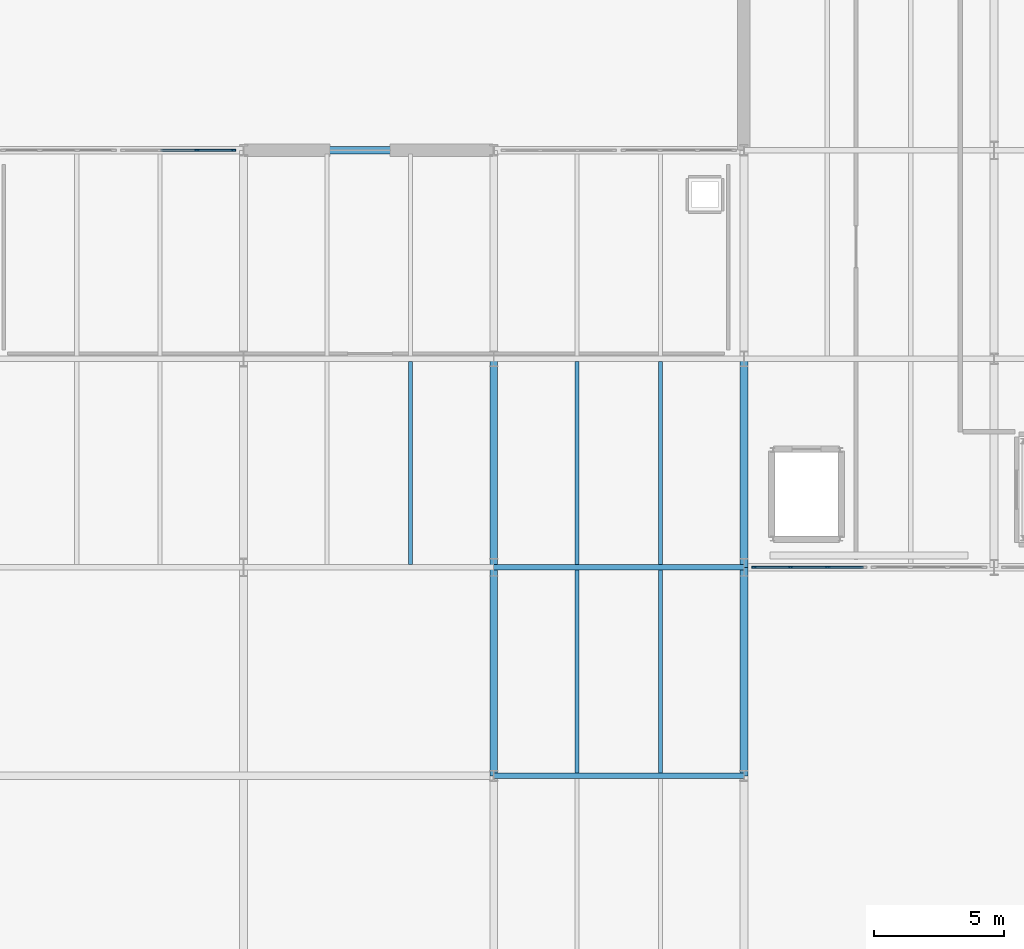
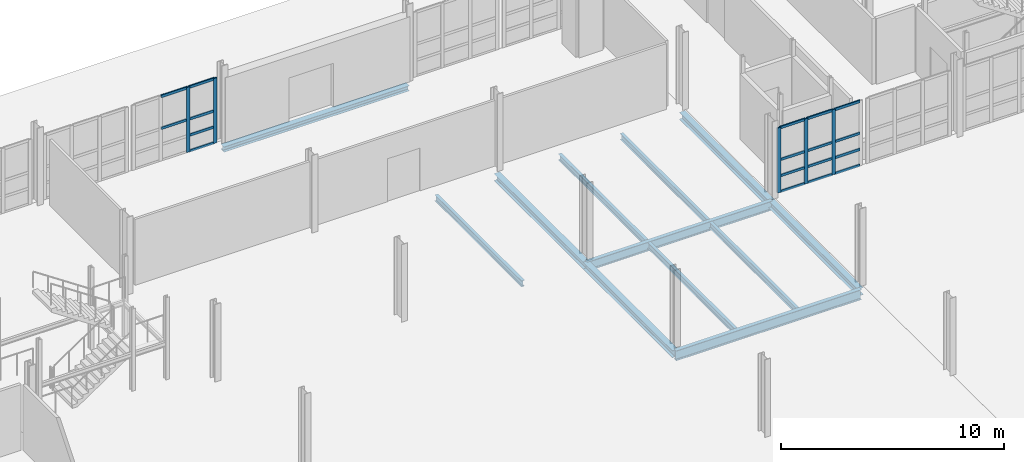
# One storey, part 39 of 78: 23 members, 12 beams, 2 elements without a shape of their own.
"""IFC4 building model written with IfcOpenShell, lengths in metres."""

from ifc_helpers import new_model, si_unit, direction, frame, origin, origin_2d, place, context, subcontext, project, spatial, rectangle, i_section, extrude, material, layer, layer_set, material_profile, profile_set, type_object, element, aggregate, save


model = new_model("IFC4")

# Units and contexts
model_context = context("Model", 3, precision=1e-05, world=origin(), true_north=direction((0.0, 1.0)))
body_context = subcontext(model_context, "Body", "Model", "MODEL_VIEW")
ifc_project = project(units=[si_unit("LENGTHUNIT", "METRE"), si_unit("AREAUNIT", "SQUARE_METRE"), si_unit("VOLUMEUNIT", "CUBIC_METRE"), si_unit("PLANEANGLEUNIT", "RADIAN"), si_unit("MASSUNIT", "GRAM", prefix="KILO")], contexts=[model_context])

# Site, building, storey
site_placement = place(None, origin())
site = spatial("IfcSite", under=ifc_project, at=site_placement, CompositionType="ELEMENT")
building_placement = place(site_placement, origin())
building = spatial("IfcBuilding", under=site, at=building_placement, Name="Alderhovde Museum", CompositionType="ELEMENT")
storey_placement = place(building_placement, origin())
storey = spatial("IfcBuildingStorey", under=building, at=storey_placement, Name="L00", CompositionType="ELEMENT", Elevation=0.0)

# Beams
ifc_material_1 = material(Name="Steel S355J2", Category="steel")
ifc_material_profile_1 = material_profile(ifc_material_1, i_section(OverallWidth=0.300048828125, OverallDepth=0.389892578125, WebThickness=0.010986328125, FlangeThickness=0.01904296875, FilletRadius=0.027099609375, at=origin_2d()), Name="HEA 400")
ifc_profile_set_1 = profile_set([ifc_material_profile_1], Name="Steel S355J2")
beam_type_1 = type_object("IfcBeamType", Name="BM-HEA400", PredefinedType="BEAM", material=ifc_profile_set_1)
for number, where, z_axis, x_axis, name in (
    (1, (105.60009765625, 64.0, -0.47509765625), (0.0, 1.0, 0.0), (-1.0, 0.0, 0.0), "L00 Grid Beam X=105.6 (64.0 TO 72.0)"),
    (2, (105.60009765625, 72.0, -0.47509765625), (0.0, 1.0, 0.0), (-1.0, 0.0, 0.0), "L00 Grid Beam X=105.6 (72.0 TO 80.0)"),
    (3, (115.199951171875, 64.0, -0.47509765625), (0.0, 1.0, 0.0), (-1.0, 0.0, 0.0), "L00 Grid Beam X=115.2 (64.0 TO 72.0)"),
    (4, (115.199951171875, 72.0, -0.47509765625), (0.0, 1.0, 0.0), (-1.0, 0.0, 0.0), "L00 Grid Beam X=115.2 (72.0 TO 80.0)"),
):
    element("IfcBeam", number, at=place(storey_placement, frame(where, z_axis=z_axis, x_axis=x_axis)), inside=storey, type_object=beam_type_1, Name=name, PredefinedType="BEAM", context=body_context, shape_type="SweptSolid", body=[
        extrude(i_section(OverallWidth=0.300048828125, OverallDepth=0.389892578125, WebThickness=0.010986328125, FlangeThickness=0.01904296875, FilletRadius=0.027099609375, at=origin_2d()), origin(), (0.0, 0.0, 1.0), 8.0),
    ])
ifc_material_2 = material(Name="Steel S355J2", Category="steel")
ifc_material_profile_2 = material_profile(ifc_material_2, i_section(OverallWidth=0.199951171875, OverallDepth=0.5, WebThickness=0.01025390625, FlangeThickness=0.01611328125, FilletRadius=0.02099609375, at=origin_2d()), Name="IPE 500")
ifc_profile_set_2 = profile_set([ifc_material_profile_2], Name="Steel S355J2")
beam_type_2 = type_object("IfcBeamType", Name="BM-IPE500", PredefinedType="BEAM", material=ifc_profile_set_2)
beam_1_placement = place(storey_placement, frame((105.60009765625, 72.0, -0.530029296875), z_axis=(1.0, 0.0, 0.0), x_axis=(0.0, 1.0, 0.0)))
element("IfcBeam", 5, at=beam_1_placement, inside=storey, type_object=beam_type_2, Name="L00 Grid Beam Y=72.0 (105.6 TO 115.2)", PredefinedType="BEAM", context=body_context, shape_type="SweptSolid", body=[
    extrude(i_section(OverallWidth=0.199951171875, OverallDepth=0.5, WebThickness=0.01025390625, FlangeThickness=0.01611328125, FilletRadius=0.02099609375, at=origin_2d()), origin(), (0.0, 0.0, 1.0), 9.599853515625),
])
ifc_material_3 = material(Name="Steel S355J2", Category="steel")
ifc_material_profile_3 = material_profile(ifc_material_3, i_section(OverallWidth=0.2099609375, OverallDepth=0.550048828125, WebThickness=0.010986328125, FlangeThickness=0.01708984375, FilletRadius=0.02392578125, at=origin_2d()), Name="IPE 550")
ifc_profile_set_3 = profile_set([ifc_material_profile_3], Name="Steel S355J2")
beam_type_3 = type_object("IfcBeamType", Name="BM-IPE550", PredefinedType="BEAM", material=ifc_profile_set_3)
beam_2_placement = place(storey_placement, frame((105.60009765625, 64.0, -0.554931640625), z_axis=(1.0, 0.0, 0.0), x_axis=(0.0, 1.0, 0.0)))
element("IfcBeam", 6, at=beam_2_placement, inside=storey, type_object=beam_type_3, Name="L00 Grid Beam Y=64.0 (105.6 TO 115.2)", PredefinedType="BEAM", context=body_context, shape_type="SweptSolid", body=[
    extrude(i_section(OverallWidth=0.2099609375, OverallDepth=0.550048828125, WebThickness=0.010986328125, FlangeThickness=0.01708984375, FilletRadius=0.02392578125, at=origin_2d()), origin(), (0.0, 0.0, 1.0), 9.599853515625),
])

# Curtain wall, members
ifc_material_4 = material(Name="Triple-Glazed Bronze-Anodised Curtain Wall", Category="glass")
ifc_layer_1 = layer(ifc_material_4, 0.179931640625)
ifc_layer_set_1 = layer_set([ifc_layer_1], Name="Triple-Glazed Bronze-Anodised Curtain Wall")
curtain_wall_type_1 = type_object("IfcCurtainWallType", Name="CW-UNIT-430x356", PredefinedType="USERDEFINED", material=ifc_layer_set_1)
curtain_wall_1_placement = place(storey_placement, origin())
curtain_wall_1 = element("IfcCurtainWall", 7, at=curtain_wall_1_placement, inside=storey, type_object=curtain_wall_type_1, Name="L00 Unitised Curtain Wall 14", ObjectType="UNITISED CURTAIN WALL", PredefinedType="USERDEFINED")
ifc_material_5 = material(Name="Bronze-Anodised Aluminium EN AW-6063-T6", Category="aluminium")
ifc_material_profile_4 = material_profile(ifc_material_5, rectangle(XDim=0.06494140625, YDim=0.179931640625, at=origin_2d()), Name="MULLION 65x180")
ifc_profile_set_4 = profile_set([ifc_material_profile_4], Name="Bronze-Anodised Aluminium EN AW-6063-T6")
member_type_1 = type_object("IfcMemberType", Name="CWM-65x180", PredefinedType="MULLION", material=ifc_profile_set_4)
member_1_placement = place(storey_placement, frame((94.216552734375, 88.0, 0.0), z_axis=(0.0, 0.0, 1.0), x_axis=(0.0, 1.0, 0.0)))
member_1 = element("IfcMember", 8, at=member_1_placement, type_object=member_type_1, Name="CW07 mullion 3", PredefinedType="MULLION", context=body_context, shape_type="SweptSolid", body=[
    extrude(rectangle(XDim=0.06494140625, YDim=0.179931640625, at=origin_2d()), origin(), (0.0, 0.0, 1.0), 3.56005859375),
])
member_2_placement = place(storey_placement, frame((95.617431640625, 88.0, 0.0), z_axis=(0.0, 0.0, 1.0), x_axis=(0.0, 1.0, 0.0)))
member_2 = element("IfcMember", 9, at=member_2_placement, type_object=member_type_1, Name="CW07 mullion 4", PredefinedType="MULLION", context=body_context, shape_type="SweptSolid", body=[
    extrude(rectangle(XDim=0.06494140625, YDim=0.179931640625, at=origin_2d()), origin(), (0.0, 0.0, 1.0), 3.56005859375),
])

ifc_material_6 = material(Name="Triple-Glazed Bronze-Anodised Curtain Wall", Category="glass")
ifc_layer_2 = layer(ifc_material_6, 0.179931640625)
ifc_layer_set_2 = layer_set([ifc_layer_2], Name="Triple-Glazed Bronze-Anodised Curtain Wall")
curtain_wall_type_2 = type_object("IfcCurtainWallType", Name="CW-STIC-430x356", PredefinedType="USERDEFINED", material=ifc_layer_set_2)
curtain_wall_2_placement = place(storey_placement, origin())
curtain_wall_2 = element("IfcCurtainWall", 10, at=curtain_wall_2_placement, inside=storey, type_object=curtain_wall_type_2, Name="L00 Stick Curtain Wall 131", ObjectType="STICK CURTAIN WALL", PredefinedType="USERDEFINED")
member_3_placement = place(storey_placement, frame((115.58251953125, 72.0, 0.0), z_axis=(0.0, 0.0, 1.0), x_axis=(0.0, 1.0, 0.0)))
member_3 = element("IfcMember", 11, at=member_3_placement, type_object=member_type_1, Name="CW31 mullion 1", PredefinedType="MULLION", context=body_context, shape_type="SweptSolid", body=[
    extrude(rectangle(XDim=0.06494140625, YDim=0.179931640625, at=origin_2d()), origin(), (0.0, 0.0, 1.0), 3.56005859375),
])
member_4_placement = place(storey_placement, frame((116.9833984375, 72.0, 0.0), z_axis=(0.0, 0.0, 1.0), x_axis=(0.0, 1.0, 0.0)))
member_4 = element("IfcMember", 12, at=member_4_placement, type_object=member_type_1, Name="CW31 mullion 2", PredefinedType="MULLION", context=body_context, shape_type="SweptSolid", body=[
    extrude(rectangle(XDim=0.06494140625, YDim=0.179931640625, at=origin_2d()), origin(), (0.0, 0.0, 1.0), 3.56005859375),
])
member_5_placement = place(storey_placement, frame((118.416748046875, 72.0, 0.0), z_axis=(0.0, 0.0, 1.0), x_axis=(0.0, 1.0, 0.0)))
member_5 = element("IfcMember", 13, at=member_5_placement, type_object=member_type_1, Name="CW31 mullion 3", PredefinedType="MULLION", context=body_context, shape_type="SweptSolid", body=[
    extrude(rectangle(XDim=0.06494140625, YDim=0.179931640625, at=origin_2d()), origin(), (0.0, 0.0, 1.0), 3.56005859375),
])

# Member
ifc_material_7 = material(Name="Bronze-Anodised Aluminium EN AW-6063-T6", Category="aluminium")
ifc_material_profile_5 = material_profile(ifc_material_7, rectangle(XDim=0.06494140625, YDim=0.139892578125, at=origin_2d()), Name="TRANSOM 65x140")
ifc_profile_set_5 = profile_set([ifc_material_profile_5], Name="Bronze-Anodised Aluminium EN AW-6063-T6")
member_type_2 = type_object("IfcMemberType", Name="CWT-65x140", PredefinedType="USERDEFINED", material=ifc_profile_set_5)
member_6_placement = place(storey_placement, frame((92.81591796875, 88.0, 1.780029296875), z_axis=(1.0, 0.0, 0.0), x_axis=(0.0, 1.0, 0.0)))
member_6 = element("IfcMember", 14, at=member_6_placement, type_object=member_type_2, Name="CW07 transom 2.3", ObjectType="TRANSOM", PredefinedType="USERDEFINED", context=body_context, shape_type="SweptSolid", body=[
    extrude(rectangle(XDim=0.06494140625, YDim=0.139892578125, at=origin_2d()), origin(), (0.0, 0.0, 1.0), 1.3681640625),
])

member_7_placement = place(storey_placement, frame((92.81591796875, 88.0, 3.527587890625), z_axis=(1.0, 0.0, 0.0), x_axis=(0.0, 1.0, 0.0)))
member_7 = element("IfcMember", 15, at=member_7_placement, type_object=member_type_2, Name="CW07 transom 2.4", ObjectType="TRANSOM", PredefinedType="USERDEFINED", context=body_context, shape_type="SweptSolid", body=[
    extrude(rectangle(XDim=0.06494140625, YDim=0.139892578125, at=origin_2d()), origin(), (0.0, 0.0, 1.0), 1.3681640625),
])

member_8_placement = place(storey_placement, frame((94.249267578125, 88.0, 0.032470703125), z_axis=(1.0, 0.0, 0.0), x_axis=(0.0, 1.0, 0.0)))
member_8 = element("IfcMember", 16, at=member_8_placement, type_object=member_type_2, Name="CW07 transom 3.1", ObjectType="TRANSOM", PredefinedType="USERDEFINED", context=body_context, shape_type="SweptSolid", body=[
    extrude(rectangle(XDim=0.06494140625, YDim=0.139892578125, at=origin_2d()), origin(), (0.0, 0.0, 1.0), 1.335693359375),
])

member_9_placement = place(storey_placement, frame((94.249267578125, 88.0, 0.89990234375), z_axis=(1.0, 0.0, 0.0), x_axis=(0.0, 1.0, 0.0)))
member_9 = element("IfcMember", 17, at=member_9_placement, type_object=member_type_2, Name="CW07 transom 3.2", ObjectType="TRANSOM", PredefinedType="USERDEFINED", context=body_context, shape_type="SweptSolid", body=[
    extrude(rectangle(XDim=0.06494140625, YDim=0.139892578125, at=origin_2d()), origin(), (0.0, 0.0, 1.0), 1.335693359375),
])

member_10_placement = place(storey_placement, frame((94.249267578125, 88.0, 1.780029296875), z_axis=(1.0, 0.0, 0.0), x_axis=(0.0, 1.0, 0.0)))
member_10 = element("IfcMember", 18, at=member_10_placement, type_object=member_type_2, Name="CW07 transom 3.3", ObjectType="TRANSOM", PredefinedType="USERDEFINED", context=body_context, shape_type="SweptSolid", body=[
    extrude(rectangle(XDim=0.06494140625, YDim=0.139892578125, at=origin_2d()), origin(), (0.0, 0.0, 1.0), 1.335693359375),
])

member_11_placement = place(storey_placement, frame((94.249267578125, 88.0, 3.527587890625), z_axis=(1.0, 0.0, 0.0), x_axis=(0.0, 1.0, 0.0)))
member_11 = element("IfcMember", 19, at=member_11_placement, type_object=member_type_2, Name="CW07 transom 3.4", ObjectType="TRANSOM", PredefinedType="USERDEFINED", context=body_context, shape_type="SweptSolid", body=[
    extrude(rectangle(XDim=0.06494140625, YDim=0.139892578125, at=origin_2d()), origin(), (0.0, 0.0, 1.0), 1.335693359375),
])

aggregate(curtain_wall_1, [member_1, member_2, member_6, member_7, member_8, member_9, member_10, member_11])

member_12_placement = place(storey_placement, frame((115.614990234375, 72.0, 0.032470703125), z_axis=(1.0, 0.0, 0.0), x_axis=(0.0, 1.0, 0.0)))
member_12 = element("IfcMember", 20, at=member_12_placement, type_object=member_type_2, Name="CW31 transom 1.1", ObjectType="TRANSOM", PredefinedType="USERDEFINED", context=body_context, shape_type="SweptSolid", body=[
    extrude(rectangle(XDim=0.06494140625, YDim=0.139892578125, at=origin_2d()), origin(), (0.0, 0.0, 1.0), 1.3359375),
])

member_13_placement = place(storey_placement, frame((115.614990234375, 72.0, 0.89990234375), z_axis=(1.0, 0.0, 0.0), x_axis=(0.0, 1.0, 0.0)))
member_13 = element("IfcMember", 21, at=member_13_placement, type_object=member_type_2, Name="CW31 transom 1.2", ObjectType="TRANSOM", PredefinedType="USERDEFINED", context=body_context, shape_type="SweptSolid", body=[
    extrude(rectangle(XDim=0.06494140625, YDim=0.139892578125, at=origin_2d()), origin(), (0.0, 0.0, 1.0), 1.3359375),
])

member_14_placement = place(storey_placement, frame((115.614990234375, 72.0, 1.780029296875), z_axis=(1.0, 0.0, 0.0), x_axis=(0.0, 1.0, 0.0)))
member_14 = element("IfcMember", 22, at=member_14_placement, type_object=member_type_2, Name="CW31 transom 1.3", ObjectType="TRANSOM", PredefinedType="USERDEFINED", context=body_context, shape_type="SweptSolid", body=[
    extrude(rectangle(XDim=0.06494140625, YDim=0.139892578125, at=origin_2d()), origin(), (0.0, 0.0, 1.0), 1.3359375),
])

member_15_placement = place(storey_placement, frame((115.614990234375, 72.0, 3.527587890625), z_axis=(1.0, 0.0, 0.0), x_axis=(0.0, 1.0, 0.0)))
member_15 = element("IfcMember", 23, at=member_15_placement, type_object=member_type_2, Name="CW31 transom 1.4", ObjectType="TRANSOM", PredefinedType="USERDEFINED", context=body_context, shape_type="SweptSolid", body=[
    extrude(rectangle(XDim=0.06494140625, YDim=0.139892578125, at=origin_2d()), origin(), (0.0, 0.0, 1.0), 1.3359375),
])

member_16_placement = place(storey_placement, frame((117.015869140625, 72.0, 0.032470703125), z_axis=(1.0, 0.0, 0.0), x_axis=(0.0, 1.0, 0.0)))
member_16 = element("IfcMember", 24, at=member_16_placement, type_object=member_type_2, Name="CW31 transom 2.1", ObjectType="TRANSOM", PredefinedType="USERDEFINED", context=body_context, shape_type="SweptSolid", body=[
    extrude(rectangle(XDim=0.06494140625, YDim=0.139892578125, at=origin_2d()), origin(), (0.0, 0.0, 1.0), 1.368408203125),
])

member_17_placement = place(storey_placement, frame((117.015869140625, 72.0, 0.89990234375), z_axis=(1.0, 0.0, 0.0), x_axis=(0.0, 1.0, 0.0)))
member_17 = element("IfcMember", 25, at=member_17_placement, type_object=member_type_2, Name="CW31 transom 2.2", ObjectType="TRANSOM", PredefinedType="USERDEFINED", context=body_context, shape_type="SweptSolid", body=[
    extrude(rectangle(XDim=0.06494140625, YDim=0.139892578125, at=origin_2d()), origin(), (0.0, 0.0, 1.0), 1.368408203125),
])

member_18_placement = place(storey_placement, frame((117.015869140625, 72.0, 1.780029296875), z_axis=(1.0, 0.0, 0.0), x_axis=(0.0, 1.0, 0.0)))
member_18 = element("IfcMember", 26, at=member_18_placement, type_object=member_type_2, Name="CW31 transom 2.3", ObjectType="TRANSOM", PredefinedType="USERDEFINED", context=body_context, shape_type="SweptSolid", body=[
    extrude(rectangle(XDim=0.06494140625, YDim=0.139892578125, at=origin_2d()), origin(), (0.0, 0.0, 1.0), 1.368408203125),
])

member_19_placement = place(storey_placement, frame((117.015869140625, 72.0, 3.527587890625), z_axis=(1.0, 0.0, 0.0), x_axis=(0.0, 1.0, 0.0)))
member_19 = element("IfcMember", 27, at=member_19_placement, type_object=member_type_2, Name="CW31 transom 2.4", ObjectType="TRANSOM", PredefinedType="USERDEFINED", context=body_context, shape_type="SweptSolid", body=[
    extrude(rectangle(XDim=0.06494140625, YDim=0.139892578125, at=origin_2d()), origin(), (0.0, 0.0, 1.0), 1.368408203125),
])

member_20_placement = place(storey_placement, frame((118.44921875, 72.0, 0.032470703125), z_axis=(1.0, 0.0, 0.0), x_axis=(0.0, 1.0, 0.0)))
member_20 = element("IfcMember", 28, at=member_20_placement, type_object=member_type_2, Name="CW31 transom 3.1", ObjectType="TRANSOM", PredefinedType="USERDEFINED", context=body_context, shape_type="SweptSolid", body=[
    extrude(rectangle(XDim=0.06494140625, YDim=0.139892578125, at=origin_2d()), origin(), (0.0, 0.0, 1.0), 1.335693359375),
])

member_21_placement = place(storey_placement, frame((118.44921875, 72.0, 0.89990234375), z_axis=(1.0, 0.0, 0.0), x_axis=(0.0, 1.0, 0.0)))
member_21 = element("IfcMember", 29, at=member_21_placement, type_object=member_type_2, Name="CW31 transom 3.2", ObjectType="TRANSOM", PredefinedType="USERDEFINED", context=body_context, shape_type="SweptSolid", body=[
    extrude(rectangle(XDim=0.06494140625, YDim=0.139892578125, at=origin_2d()), origin(), (0.0, 0.0, 1.0), 1.335693359375),
])

member_22_placement = place(storey_placement, frame((118.44921875, 72.0, 1.780029296875), z_axis=(1.0, 0.0, 0.0), x_axis=(0.0, 1.0, 0.0)))
member_22 = element("IfcMember", 30, at=member_22_placement, type_object=member_type_2, Name="CW31 transom 3.3", ObjectType="TRANSOM", PredefinedType="USERDEFINED", context=body_context, shape_type="SweptSolid", body=[
    extrude(rectangle(XDim=0.06494140625, YDim=0.139892578125, at=origin_2d()), origin(), (0.0, 0.0, 1.0), 1.335693359375),
])

member_23_placement = place(storey_placement, frame((118.44921875, 72.0, 3.527587890625), z_axis=(1.0, 0.0, 0.0), x_axis=(0.0, 1.0, 0.0)))
member_23 = element("IfcMember", 31, at=member_23_placement, type_object=member_type_2, Name="CW31 transom 3.4", ObjectType="TRANSOM", PredefinedType="USERDEFINED", context=body_context, shape_type="SweptSolid", body=[
    extrude(rectangle(XDim=0.06494140625, YDim=0.139892578125, at=origin_2d()), origin(), (0.0, 0.0, 1.0), 1.335693359375),
])

aggregate(curtain_wall_2, [member_3, member_4, member_5, member_12, member_13, member_14, member_15, member_16, member_17, member_18, member_19, member_20, member_21, member_22, member_23])

# Beams
ifc_material_8 = material(Name="Steel S355J2", Category="steel")
ifc_material_profile_6 = material_profile(ifc_material_8, i_section(OverallWidth=0.159912109375, OverallDepth=0.330078125, WebThickness=0.007568359375, FlangeThickness=0.011474609375, FilletRadius=0.01806640625, at=origin_2d()), Name="IPE 330")
ifc_profile_set_6 = profile_set([ifc_material_profile_6], Name="Steel S355J2")
beam_type_4 = type_object("IfcBeamType", Name="JST-IPE330", PredefinedType="JOIST", material=ifc_profile_set_6)
for number, where, z_axis, x_axis, name in (
    (32, (102.39990234375, 72.10009765625, -0.445068359375), (0.0, 1.0, 0.0), (-1.0, 0.0, 0.0), "L00 Composite Joist X=102.4 (72.0 TO 80.0)"),
    (33, (108.800048828125, 64.10498046875, -0.445068359375), (0.0, 1.0, 0.0), (-1.0, 0.0, 0.0), "L00 Composite Joist X=108.8 (64.0 TO 72.0)"),
    (34, (112.0, 64.10498046875, -0.445068359375), (0.0, 1.0, 0.0), (-1.0, 0.0, 0.0), "L00 Composite Joist X=112.0 (64.0 TO 72.0)"),
    (35, (108.800048828125, 72.10009765625, -0.445068359375), (0.0, 1.0, 0.0), (-1.0, 0.0, 0.0), "L00 Composite Joist X=108.8 (72.0 TO 80.0)"),
    (36, (112.0, 72.10009765625, -0.445068359375), (0.0, 1.0, 0.0), (-1.0, 0.0, 0.0), "L00 Composite Joist X=112.0 (72.0 TO 80.0)"),
):
    element("IfcBeam", number, at=place(storey_placement, frame(where, z_axis=z_axis, x_axis=x_axis)), inside=storey, type_object=beam_type_4, Name=name, PredefinedType="JOIST", context=body_context, shape_type="SweptSolid", body=[
        extrude(i_section(OverallWidth=0.159912109375, OverallDepth=0.330078125, WebThickness=0.007568359375, FlangeThickness=0.011474609375, FilletRadius=0.01806640625, at=origin_2d()), origin(), (0.0, 0.0, 1.0), 7.794921875),
    ])
ifc_material_9 = material(Name="Steel S355J2", Category="steel")
ifc_material_profile_7 = material_profile(ifc_material_9, i_section(OverallWidth=0.300048828125, OverallDepth=0.2900390625, WebThickness=0.008544921875, FlangeThickness=0.013916015625, FilletRadius=0.027099609375, at=origin_2d()), Name="HEA 300")
ifc_profile_set_7 = profile_set([ifc_material_profile_7], Name="Steel S355J2")
beam_type_5 = type_object("IfcBeamType", Name="SPD-HEA300", PredefinedType="SPANDREL", material=ifc_profile_set_7)
beam_3_placement = place(storey_placement, frame((96.0, 88.0, -0.425048828125), z_axis=(1.0, 0.0, 0.0), x_axis=(0.0, 1.0, 0.0)))
element("IfcBeam", 37, at=beam_3_placement, inside=storey, type_object=beam_type_5, Name="L00 Grid Beam Y=88.0 (96.0 TO 105.6)", PredefinedType="SPANDREL", context=body_context, shape_type="SweptSolid", body=[
    extrude(i_section(OverallWidth=0.300048828125, OverallDepth=0.2900390625, WebThickness=0.008544921875, FlangeThickness=0.013916015625, FilletRadius=0.027099609375, at=origin_2d()), origin(), (0.0, 0.0, 1.0), 9.60009765625),
])

save(model, "model.ifc")
